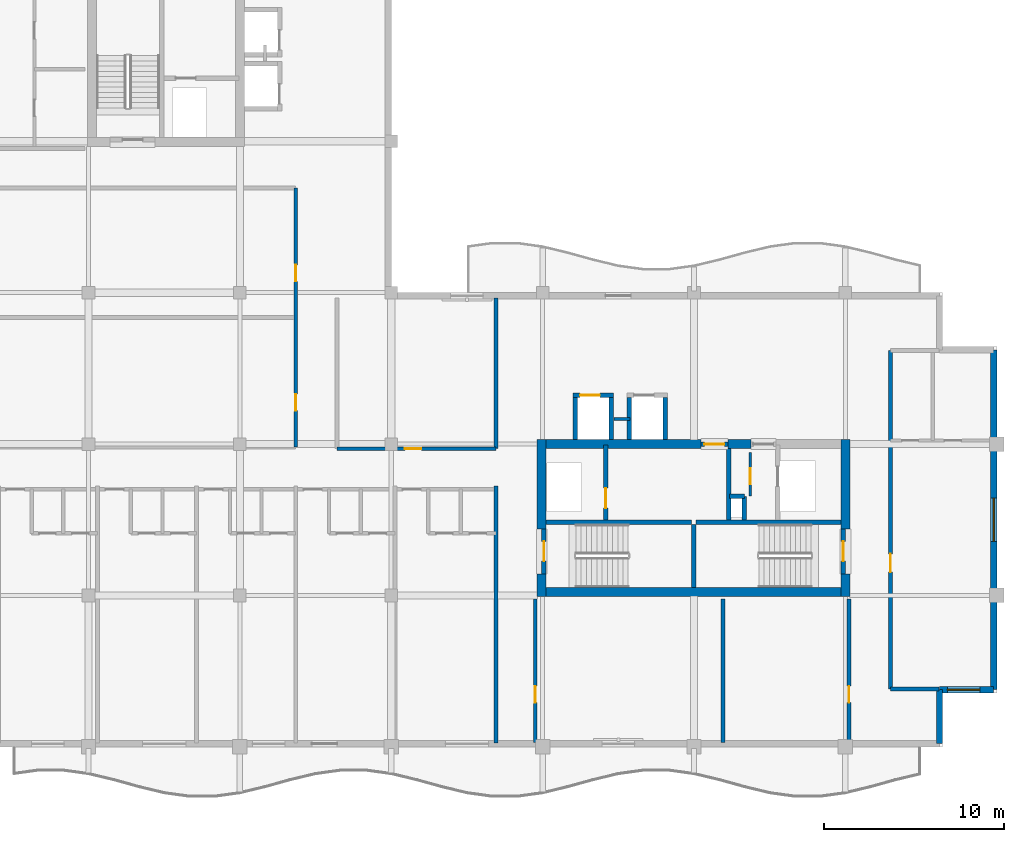
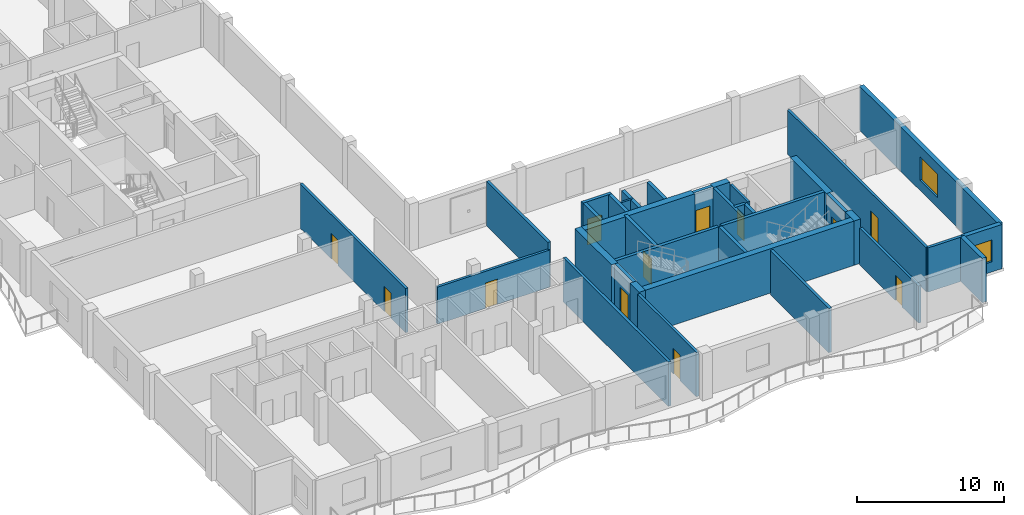
# One storey, part 4 of 12: 36 walls, 12 doors, 2 windows, 14 openings.
"""IFC4 building model written with IfcOpenShell, lengths in metres."""

import ifcopenshell
import ifcopenshell.guid

model = None  # the IFC model being written
_history = None  # IfcOwnerHistory: only IFC2X3 demands one
_inside = {}  # id of a spatial element -> (the spatial element, [elements in it])
_under = {}  # id of a project, library or spatial element -> (it, [spatial elements below it])
_declared = {}  # id of a project -> (the project, [libraries it declares])
_typed = {}  # id of a type object -> (the type object, [elements of that type])
_made_of = {}  # id of a material, layer set ... -> (it, [elements and type objects made of it])


def new_model(schema):
    """Start an empty IFC model of exactly this schema.

    Asked for "IFC4X3", IfcOpenShell would pick the latest addendum, in which some entities
    have other attributes; the version numbers below select the first issue.
    IFC2X3 requires an IfcOwnerHistory on every rooted entity: one is made here for all.
    """
    global model, _history
    if schema == "IFC4X3":
        model = ifcopenshell.file(schema_version=(4, 3, 0, 0))
    else:
        model = ifcopenshell.file(schema=schema)
    _inside.clear()
    _under.clear()
    _declared.clear()
    _typed.clear()
    _made_of.clear()
    _history = None
    if model.schema == "IFC2X3":
        org = make("IfcOrganization", Name="unknown")
        user = make(
            "IfcPersonAndOrganization",
            ThePerson=make("IfcPerson", FamilyName="unknown"),
            TheOrganization=org,
        )
        app = make(
            "IfcApplication",
            ApplicationDeveloper=org,
            Version="unknown",
            ApplicationFullName="unknown",
            ApplicationIdentifier="unknown",
        )
        _history = make(
            "IfcOwnerHistory",
            OwningUser=user,
            OwningApplication=app,
            ChangeAction="ADDED",
            CreationDate=0,
        )
    return model


def make(cls, **values):
    """One entity of the class cls with the attributes given. An attribute that is None is left unset."""
    return model.create_entity(
        cls, **{name: value for name, value in values.items() if value is not None}
    )


def rooted(cls, **values):
    """An entity with a GlobalId (a new one), such as an element, a storey or a relation."""
    return make(cls, GlobalId=ifcopenshell.guid.new(), OwnerHistory=_history, **values)


def si_unit(unit_type, name, prefix=None):
    """IfcSIUnit, for example si_unit("LENGTHUNIT", "METRE", prefix="MILLI")."""
    return make("IfcSIUnit", UnitType=unit_type, Prefix=prefix, Name=name)


def assignment(units):
    """IfcUnitAssignment: the units of a project."""
    return None if units is None else make("IfcUnitAssignment", Units=units)


def point(xyz):
    """IfcCartesianPoint."""
    return None if xyz is None else make("IfcCartesianPoint", Coordinates=xyz)


def direction(xyz):
    """IfcDirection."""
    return None if xyz is None else make("IfcDirection", DirectionRatios=xyz)


def frame(location, z_axis=None, x_axis=None):
    """IfcAxis2Placement3D, a coordinate frame: its origin and axes. An axis left out is left unset."""
    return make(
        "IfcAxis2Placement3D",
        Location=point(location),
        Axis=direction(z_axis),
        RefDirection=direction(x_axis),
    )


def frame_2d(location, x_axis=None):
    """IfcAxis2Placement2D, a coordinate frame in the plane: its origin and x axis."""
    return make(
        "IfcAxis2Placement2D", Location=point(location), RefDirection=direction(x_axis)
    )


def origin():
    """The frame at (0, 0, 0) with its axes left unset."""
    return frame((0.0, 0.0, 0.0))


def place(relative_to, where):
    """IfcLocalPlacement: puts the frame where relative to a parent placement (None: the world)."""
    return make(
        "IfcLocalPlacement", PlacementRelTo=relative_to, RelativePlacement=where
    )


def context(
    kind, dimensions, precision=None, world=None, true_north=None, identifier=None
):
    """IfcGeometricRepresentationContext, for example the 3D "Model" context."""
    return make(
        "IfcGeometricRepresentationContext",
        ContextIdentifier=identifier,
        ContextType=kind,
        CoordinateSpaceDimension=dimensions,
        Precision=precision,
        WorldCoordinateSystem=world,
        TrueNorth=true_north,
    )


def subcontext(parent, identifier, kind, view, scale=None):
    """IfcGeometricRepresentationSubContext, for example "Body" below "Model"."""
    return make(
        "IfcGeometricRepresentationSubContext",
        ContextIdentifier=identifier,
        ContextType=kind,
        ParentContext=parent,
        TargetScale=scale,
        TargetView=view,
    )


def project(units=None, contexts=None):
    """IfcProject with its units and contexts."""
    return rooted(
        "IfcProject",
        Name="project",
        RepresentationContexts=contexts,
        UnitsInContext=assignment(units),
    )


def spatial(cls, under=None, at=None, **own):
    """A site, building, storey or space (cls), placed at a placement, below another one or the project."""
    s = rooted(cls, ObjectPlacement=at, **own)
    if under is not None:
        _under.setdefault(under.id(), (under, []))[1].append(s)
    return s


def profile(cls, at=None, kind="AREA", **sizes):
    """A parametric profile (cls). Its sizes go by their IFC names, for example OverallWidth=200.0."""
    return make(cls, ProfileType=kind, Position=at, **sizes)


def rectangle(**sizes):
    """IfcRectangleProfileDef."""
    return profile("IfcRectangleProfileDef", **sizes)


def extrude(swept, where, along, depth):
    """IfcExtrudedAreaSolid: the profile swept, set in the frame where, extruded along a direction by depth."""
    return make(
        "IfcExtrudedAreaSolid",
        SweptArea=swept,
        Position=where,
        ExtrudedDirection=direction(along),
        Depth=depth,
    )


def shape(context_of_items, identifier, shape_type, items):
    """IfcShapeRepresentation: the items that make up one representation, for example the "Body"."""
    return make(
        "IfcShapeRepresentation",
        ContextOfItems=context_of_items,
        RepresentationIdentifier=identifier,
        RepresentationType=shape_type,
        Items=items,
    )


def material(Name=None, Category=None):
    """IfcMaterial."""
    return make("IfcMaterial", Name=Name, Category=Category)


def layer(
    of_material, thickness, ventilated=None, Name=None, Category=None, Priority=None
):
    """IfcMaterialLayer: one layer of a wall or slab, of a material (None: an air gap)."""
    return make(
        "IfcMaterialLayer",
        Material=of_material,
        LayerThickness=thickness,
        IsVentilated=ventilated,
        Name=Name,
        Category=Category,
        Priority=Priority,
    )


def layer_set(layers, Name=None):
    """IfcMaterialLayerSet."""
    return make("IfcMaterialLayerSet", MaterialLayers=layers, LayerSetName=Name)


def made_of(thing, what):
    """Note that an element or type object is made of a material, layer set ...; save() writes the relation."""
    if what is not None:
        _made_of.setdefault(what.id(), (what, []))[1].append(thing)
    return thing


def type_object(cls, material=None, **own):
    """A type object (cls), such as IfcWallType, which elements share."""
    return made_of(rooted(cls, **own), material)


def element(
    cls,
    number,
    at=None,
    inside=None,
    cuts=None,
    type_object=None,
    material=None,
    context=None,
    identifier="Body",
    shape_type=None,
    held_by="IfcProductDefinitionShape",
    body=None,
    shapes=None,
    **own,
):
    """One element of the class cls, such as IfcWall. Its Tag is "e" and its number.

    at: its placement. inside: the storey or other place that contains it. cuts: it is an
    opening in that element (IfcRelVoidsElement). A single representation is given by context,
    identifier, shape_type and body (its items); several are given by shapes. held_by: the class
    of the entity that holds the representations. save() writes the other relations.
    """
    e = rooted(cls, Tag="e%d" % number, ObjectPlacement=at, **own)
    if body is not None:
        shapes = [shape(context, identifier, shape_type, body)]
    if shapes is not None:
        e.Representation = make(held_by, Representations=shapes)
    if inside is not None:
        _inside.setdefault(inside.id(), (inside, []))[1].append(e)
    if cuts is not None:
        rooted(
            "IfcRelVoidsElement", RelatingBuildingElement=cuts, RelatedOpeningElement=e
        )
    if type_object is not None:
        _typed.setdefault(type_object.id(), (type_object, []))[1].append(e)
    return made_of(e, material)


def fill(opening, filler):
    """IfcRelFillsElement: the door or window that sits in an opening."""
    return rooted(
        "IfcRelFillsElement",
        RelatingOpeningElement=opening,
        RelatedBuildingElement=filler,
    )


def aggregate(whole, parts):
    """IfcRelAggregates: a whole, such as a stair, and the parts it consists of."""
    return rooted("IfcRelAggregates", RelatingObject=whole, RelatedObjects=parts)


def save(model, path):
    """Write the relations noted so far, then the file.

    IfcRelAggregates (storeys below a building ...), IfcRelContainedInSpatialStructure (elements
    in a storey), IfcRelDefinesByType, IfcRelAssociatesMaterial and IfcRelDeclares: one each for
    every whole, place, type object, material and project.
    """
    for whole, parts in _under.values():
        aggregate(whole, parts)
    for where, things in _inside.values():
        rooted(
            "IfcRelContainedInSpatialStructure",
            RelatedElements=things,
            RelatingStructure=where,
        )
    for kind, things in _typed.values():
        rooted("IfcRelDefinesByType", RelatedObjects=things, RelatingType=kind)
    for what, things in _made_of.values():
        rooted("IfcRelAssociatesMaterial", RelatedObjects=things, RelatingMaterial=what)
    for by, libraries in _declared.values():
        rooted("IfcRelDeclares", RelatingContext=by, RelatedDefinitions=libraries)
    model.write(path)


model = new_model("IFC4")

# Units and contexts
model_context = context("Model", 3, precision=1e-05, world=origin(), true_north=direction((0.0, 1.0)))
body_context = subcontext(model_context, "Body", "Model", "MODEL_VIEW")
ifc_project = project(units=[si_unit("LENGTHUNIT", "METRE"), si_unit("AREAUNIT", "SQUARE_METRE"), si_unit("VOLUMEUNIT", "CUBIC_METRE"), si_unit("PLANEANGLEUNIT", "RADIAN"), si_unit("MASSUNIT", "GRAM", prefix="KILO")], contexts=[model_context])

# Site, building, storey
site_placement = place(None, origin())
site = spatial("IfcSite", under=ifc_project, at=site_placement, CompositionType="ELEMENT")
building_placement = place(site_placement, origin())
building = spatial("IfcBuilding", under=site, at=building_placement, Name="Koriwani Terraces Tower", CompositionType="ELEMENT")
storey_placement = place(building_placement, frame((0.0, 0.0, 351.5)))
storey = spatial("IfcBuildingStorey", under=building, at=storey_placement, Name="L87", CompositionType="ELEMENT", Elevation=351.5)

# Walls
ifc_material_1 = material(Name="Concrete C50/60", Category="concrete")
ifc_layer_1 = layer(ifc_material_1, 0.5, Name="Concrete C50/60")
ifc_layer_set_1 = layer_set([ifc_layer_1], Name="Concrete C50/60")
wall_type_1 = type_object("IfcWallType", Name="WALL_CORE_RC_500", PredefinedType="SHEAR", material=ifc_layer_set_1)
wall_1_placement = place(storey_placement, frame((41.949951171875, 16.75, 0.0), z_axis=(0.0, 0.0, 1.0), x_axis=(0.0, 1.0, 0.0)))
element("IfcWall", 1, at=wall_1_placement, inside=storey, type_object=wall_type_1, Name="L87 East Split Core Shear Wall W1", PredefinedType="SHEAR", context=body_context, shape_type="SweptSolid", body=[
    extrude(rectangle(XDim=1.25, YDim=0.5, at=frame_2d((0.625, 0.0))), origin(), (0.0, 0.0, 1.0), 3.669921875),
])
wall_2_placement = place(storey_placement, frame((41.949951171875, 20.5, 0.0), z_axis=(0.0, 0.0, 1.0), x_axis=(0.0, 1.0, 0.0)))
element("IfcWall", 2, at=wall_2_placement, inside=storey, type_object=wall_type_1, Name="L87 East Split Core Shear Wall W2", PredefinedType="SHEAR", context=body_context, shape_type="SweptSolid", body=[
    extrude(rectangle(XDim=4.949951171875, YDim=0.5, at=frame_2d((2.47509765625, 0.0))), origin(), (0.0, 0.0, 1.0), 3.669921875),
])
wall_3_placement = place(storey_placement, frame((58.800048828125, 16.75, 0.0), z_axis=(0.0, 0.0, 1.0), x_axis=(0.0, 1.0, 0.0)))
element("IfcWall", 3, at=wall_3_placement, inside=storey, type_object=wall_type_1, Name="L87 East Split Core Shear Wall E1", PredefinedType="SHEAR", context=body_context, shape_type="SweptSolid", body=[
    extrude(rectangle(XDim=1.25, YDim=0.5, at=frame_2d((0.625, 0.0))), origin(), (0.0, 0.0, 1.0), 3.669921875),
])
wall_4_placement = place(storey_placement, frame((58.800048828125, 20.5, 0.0), z_axis=(0.0, 0.0, 1.0), x_axis=(0.0, 1.0, 0.0)))
element("IfcWall", 4, at=wall_4_placement, inside=storey, type_object=wall_type_1, Name="L87 East Split Core Shear Wall E2", PredefinedType="SHEAR", context=body_context, shape_type="SweptSolid", body=[
    extrude(rectangle(XDim=4.949951171875, YDim=0.5, at=frame_2d((2.47509765625, 0.0))), origin(), (0.0, 0.0, 1.0), 3.669921875),
])
wall_5_placement = place(storey_placement, frame((42.199951171875, 17.0, 0.0), z_axis=(0.0, 0.0, 1.0), x_axis=(1.0, 0.0, 0.0)))
element("IfcWall", 5, at=wall_5_placement, inside=storey, type_object=wall_type_1, Name="L87 East Split Core Shear Wall S1", PredefinedType="SHEAR", context=body_context, shape_type="SweptSolid", body=[
    extrude(rectangle(XDim=16.35009765625, YDim=0.5, at=frame_2d((8.175048828125, 0.0))), origin(), (0.0, 0.0, 1.0), 3.669921875),
])
wall_6_placement = place(storey_placement, frame((42.199951171875, 25.199951171875, 0.0), z_axis=(0.0, 0.0, 1.0), x_axis=(1.0, 0.0, 0.0)))
element("IfcWall", 6, at=wall_6_placement, inside=storey, type_object=wall_type_1, Name="L87 East Split Core Shear Wall N1", PredefinedType="SHEAR", context=body_context, shape_type="SweptSolid", body=[
    extrude(rectangle(XDim=8.60009765625, YDim=0.5, at=frame_2d((4.300048828125, 0.0))), origin(), (0.0, 0.0, 1.0), 3.669921875),
])
wall_7_placement = place(storey_placement, frame((52.280029296875, 25.199951171875, 0.0), z_axis=(0.0, 0.0, 1.0), x_axis=(1.0, 0.0, 0.0)))
element("IfcWall", 7, at=wall_7_placement, inside=storey, type_object=wall_type_1, Name="L87 East Split Core Shear Wall N2", PredefinedType="SHEAR", context=body_context, shape_type="SweptSolid", body=[
    extrude(rectangle(XDim=1.27001953125, YDim=0.5, at=frame_2d((0.635009765625, 0.0))), origin(), (0.0, 0.0, 1.0), 3.669921875),
])

# Wall, opening, door
ifc_material_2 = material(Name="Autoclaved Cellular Concrete Blockwork", Category="masonry")
ifc_layer_2 = layer(ifc_material_2, 0.199951171875, Name="Autoclaved Cellular Concrete Blockwork")
ifc_layer_set_2 = layer_set([ifc_layer_2], Name="Autoclaved Cellular Concrete Blockwork")
wall_type_2 = type_object("IfcWallType", Name="WALL_CORRIDOR_200", PredefinedType="PARTITIONING", material=ifc_layer_set_2)
wall_8_placement = place(storey_placement, frame((30.60009765625, 24.949951171875, 0.0), z_axis=(0.0, 0.0, 1.0), x_axis=(1.0, 0.0, 0.0)))
wall_8 = element("IfcWall", 8, at=wall_8_placement, inside=storey, type_object=wall_type_2, Name="L87 Interior Wall WIC4S-L87", PredefinedType="PARTITIONING", context=body_context, shape_type="SweptSolid", body=[
    extrude(rectangle(XDim=8.7998046875, YDim=0.199951171875, at=frame_2d((4.39990234375, 0.0))), origin(), (0.0, 0.0, 1.0), 3.070068359375),
])
opening_1_placement = place(wall_8_placement, frame((3.75, 0.0, 0.0)))
opening_1 = element("IfcOpeningElement", 9, at=opening_1_placement, cuts=wall_8, Name="Opening D-06", PredefinedType="OPENING", context=body_context, shape_type="SweptSolid", body=[
    extrude(rectangle(XDim=0.919921875, YDim=2.10009765625, at=frame_2d((0.4599609375, 1.050048828125))), frame((0.0, 0.10986328125, 0.0), z_axis=(0.0, -1.0, 0.0), x_axis=(1.0, 0.0, 0.0)), (0.0, 0.0, 1.0), 0.219970703125),
])
ifc_material_3 = material(Name="Architectural Oak Fire Door", Category="wood")
door_type_1 = type_object("IfcDoorType", Name="DOOR_ROOM_INT_920X2100", OperationType="NOTDEFINED", PredefinedType="DOOR", material=ifc_material_3)
door_1_placement = place(opening_1_placement, origin())
door_1 = element("IfcDoor", 10, at=door_1_placement, inside=storey, type_object=door_type_1, Name="L87 High-Rise Court Lounge Door", OperationType="SINGLE_SWING_LEFT", OverallHeight=2.10009765625, OverallWidth=0.919921875, PredefinedType="DOOR", context=body_context, shape_type="SweptSolid", body=[
    extrude(rectangle(XDim=0.919921875, YDim=2.10009765625, at=frame_2d((0.4599609375, 1.050048828125))), frame((0.0, 0.02490234375, 0.0), z_axis=(0.0, -1.0, 0.0), x_axis=(1.0, 0.0, 0.0)), (0.0, 0.0, 1.0), 0.050048828125),
])
fill(opening_1, door_1)

wall_9_placement = place(storey_placement, frame((41.60009765625, 8.64990234375, 0.0), z_axis=(0.0, 0.0, 1.0), x_axis=(0.0, 1.0, 0.0)))
wall_9 = element("IfcWall", 11, at=wall_9_placement, inside=storey, type_object=wall_type_2, Name="L87 Interior Wall WRZ4-EW-L87", PredefinedType="PARTITIONING", context=body_context, shape_type="SweptSolid", body=[
    extrude(rectangle(XDim=7.9501953125, YDim=0.199951171875, at=frame_2d((3.97509765625, 0.0))), origin(), (0.0, 0.0, 1.0), 3.669921875),
])
opening_2_placement = place(wall_9_placement, frame((2.199951171875, 0.0, 0.0)))
opening_2 = element("IfcOpeningElement", 12, at=opening_2_placement, cuts=wall_9, Name="Opening D-06", PredefinedType="OPENING", context=body_context, shape_type="SweptSolid", body=[
    extrude(rectangle(XDim=0.919921875, YDim=2.10009765625, at=frame_2d((0.4599609375, 1.050048828125))), frame((0.0, 0.10986328125, 0.0), z_axis=(0.0, -1.0, 0.0), x_axis=(1.0, 0.0, 0.0)), (0.0, 0.0, 1.0), 0.219970703125),
])
door_2_placement = place(opening_2_placement, origin())
door_2 = element("IfcDoor", 13, at=door_2_placement, inside=storey, type_object=door_type_1, Name="L87 Resident Library Study Door", OperationType="SINGLE_SWING_RIGHT", OverallHeight=2.10009765625, OverallWidth=0.919921875, PredefinedType="DOOR", context=body_context, shape_type="SweptSolid", body=[
    extrude(rectangle(XDim=0.919921875, YDim=2.10009765625, at=frame_2d((0.4599609375, 1.050048828125))), frame((0.0, 0.02490234375, 0.0), z_axis=(0.0, -1.0, 0.0), x_axis=(1.0, 0.0, 0.0)), (0.0, 0.0, 1.0), 0.050048828125),
])
fill(opening_2, door_2)

wall_10_placement = place(storey_placement, frame((59.0, 8.64990234375, 0.0), z_axis=(0.0, 0.0, 1.0), x_axis=(0.0, 1.0, 0.0)))
wall_10 = element("IfcWall", 14, at=wall_10_placement, inside=storey, type_object=wall_type_2, Name="L87 Interior Wall WRZ4-EE-L87", PredefinedType="PARTITIONING", context=body_context, shape_type="SweptSolid", body=[
    extrude(rectangle(XDim=7.9501953125, YDim=0.199951171875, at=frame_2d((3.97509765625, 0.0))), origin(), (0.0, 0.0, 1.0), 3.070068359375),
])
opening_3_placement = place(wall_10_placement, frame((2.199951171875, 0.0, 0.0)))
opening_3 = element("IfcOpeningElement", 15, at=opening_3_placement, cuts=wall_10, Name="Opening D-06", PredefinedType="OPENING", context=body_context, shape_type="SweptSolid", body=[
    extrude(rectangle(XDim=0.919921875, YDim=2.10009765625, at=frame_2d((0.4599609375, 1.050048828125))), frame((0.0, 0.10986328125, 0.0), z_axis=(0.0, -1.0, 0.0), x_axis=(1.0, 0.0, 0.0)), (0.0, 0.0, 1.0), 0.219970703125),
])
door_3_placement = place(opening_3_placement, origin())
door_3 = element("IfcDoor", 16, at=door_3_placement, inside=storey, type_object=door_type_1, Name="L87 Resident Laundry Room Door", OperationType="SINGLE_SWING_LEFT", OverallHeight=2.10009765625, OverallWidth=0.919921875, PredefinedType="DOOR", context=body_context, shape_type="SweptSolid", body=[
    extrude(rectangle(XDim=0.919921875, YDim=2.10009765625, at=frame_2d((0.4599609375, 1.050048828125))), frame((0.0, 0.02490234375, 0.0), z_axis=(0.0, -1.0, 0.0), x_axis=(1.0, 0.0, 0.0)), (0.0, 0.0, 1.0), 0.050048828125),
])
fill(opening_3, door_3)

# Wall, openings, doors
wall_11_placement = place(storey_placement, frame((28.300048828125, 25.050048828125, 0.0), z_axis=(0.0, 0.0, 1.0), x_axis=(0.0, 1.0, 0.0)))
wall_11 = element("IfcWall", 17, at=wall_11_placement, inside=storey, type_object=wall_type_2, Name="L87 Interior Wall WZ4NECL-L87", PredefinedType="PARTITIONING", context=body_context, shape_type="SweptSolid", body=[
    extrude(rectangle(XDim=14.349853515625, YDim=0.199951171875, at=frame_2d((7.1748046875, 0.0))), origin(), (0.0, 0.0, 1.0), 3.669921875),
])
opening_4_placement = place(wall_11_placement, frame((2.0, 0.0, 0.0)))
opening_4 = element("IfcOpeningElement", 18, at=opening_4_placement, cuts=wall_11, Name="Opening D-06", PredefinedType="OPENING", context=body_context, shape_type="SweptSolid", body=[
    extrude(rectangle(XDim=0.919921875, YDim=2.10009765625, at=frame_2d((0.4599609375, 1.050048828125))), frame((0.0, 0.10986328125, 0.0), z_axis=(0.0, -1.0, 0.0), x_axis=(1.0, 0.0, 0.0)), (0.0, 0.0, 1.0), 0.219970703125),
])
opening_5_placement = place(wall_11_placement, frame((9.175048828125, 0.0, 0.0)))
opening_5 = element("IfcOpeningElement", 19, at=opening_5_placement, cuts=wall_11, Name="Opening D-06", PredefinedType="OPENING", context=body_context, shape_type="SweptSolid", body=[
    extrude(rectangle(XDim=0.919921875, YDim=2.10009765625, at=frame_2d((0.4599609375, 1.050048828125))), frame((0.0, 0.10986328125, 0.0), z_axis=(0.0, -1.0, 0.0), x_axis=(1.0, 0.0, 0.0)), (0.0, 0.0, 1.0), 0.219970703125),
])
door_4_placement = place(opening_4_placement, origin())
door_4 = element("IfcDoor", 20, at=door_4_placement, inside=storey, type_object=door_type_1, Name="L87 Observatory Library Door", OperationType="SINGLE_SWING_LEFT", OverallHeight=2.10009765625, OverallWidth=0.919921875, PredefinedType="DOOR", context=body_context, shape_type="SweptSolid", body=[
    extrude(rectangle(XDim=0.919921875, YDim=2.10009765625, at=frame_2d((0.4599609375, 1.050048828125))), frame((0.0, 0.02490234375, 0.0), z_axis=(0.0, -1.0, 0.0), x_axis=(1.0, 0.0, 0.0)), (0.0, 0.0, 1.0), 0.050048828125),
])
fill(opening_4, door_4)
door_5_placement = place(opening_5_placement, origin())
door_5 = element("IfcDoor", 21, at=door_5_placement, inside=storey, type_object=door_type_1, Name="L87 Altitude Tea Salon Door", OperationType="SINGLE_SWING_RIGHT", OverallHeight=2.10009765625, OverallWidth=0.919921875, PredefinedType="DOOR", context=body_context, shape_type="SweptSolid", body=[
    extrude(rectangle(XDim=0.919921875, YDim=2.10009765625, at=frame_2d((0.4599609375, 1.050048828125))), frame((0.0, 0.02490234375, 0.0), z_axis=(0.0, -1.0, 0.0), x_axis=(1.0, 0.0, 0.0)), (0.0, 0.0, 1.0), 0.050048828125),
])
fill(opening_5, door_5)

# Wall, opening, door
wall_12_placement = place(storey_placement, frame((61.300048828125, 11.60009765625, 0.0), z_axis=(0.0, 0.0, 1.0), x_axis=(0.0, 1.0, 0.0)))
wall_12 = element("IfcWall", 22, at=wall_12_placement, inside=storey, type_object=wall_type_2, Name="L87 Interior Wall WET-W-L87", PredefinedType="PARTITIONING", context=body_context, shape_type="SweptSolid", body=[
    extrude(rectangle(XDim=18.7998046875, YDim=0.199951171875, at=frame_2d((9.39990234375, 0.0))), origin(), (0.0, 0.0, 1.0), 3.669921875),
])
opening_6_placement = place(wall_12_placement, frame((6.5, 0.0, 0.0)))
opening_6 = element("IfcOpeningElement", 23, at=opening_6_placement, cuts=wall_12, Name="Opening D-05", PredefinedType="OPENING", context=body_context, shape_type="SweptSolid", body=[
    extrude(rectangle(XDim=1.0, YDim=2.14990234375, at=frame_2d((0.5, 1.074951171875))), frame((0.0, 0.10986328125, 0.0), z_axis=(0.0, -1.0, 0.0), x_axis=(1.0, 0.0, 0.0)), (0.0, 0.0, 1.0), 0.219970703125),
])
door_type_2 = type_object("IfcDoorType", Name="DOOR_SUITE_ENTRY_1000X2150", OperationType="NOTDEFINED", PredefinedType="DOOR", material=ifc_material_3)
door_6_placement = place(opening_6_placement, origin())
door_6 = element("IfcDoor", 24, at=door_6_placement, inside=storey, type_object=door_type_2, Name="Apartment 87ET Entrance Door", OperationType="SINGLE_SWING_RIGHT", OverallHeight=2.14990234375, OverallWidth=1.0, PredefinedType="DOOR", context=body_context, shape_type="SweptSolid", body=[
    extrude(rectangle(XDim=1.0, YDim=2.14990234375, at=frame_2d((0.5, 1.074951171875))), frame((0.0, 0.02490234375, 0.0), z_axis=(0.0, -1.0, 0.0), x_axis=(1.0, 0.0, 0.0)), (0.0, 0.0, 1.0), 0.050048828125),
])
fill(opening_6, door_6)

# Walls
ifc_layer_3 = layer(ifc_material_2, 0.219970703125, Name="Autoclaved Cellular Concrete Blockwork")
ifc_layer_set_3 = layer_set([ifc_layer_3], Name="Autoclaved Cellular Concrete Blockwork")
wall_type_3 = type_object("IfcWallType", Name="WALL_DEMISING_220", PredefinedType="PARTITIONING", material=ifc_layer_set_3)
wall_13_placement = place(storey_placement, frame((39.39990234375, 24.949951171875, 0.0), z_axis=(0.0, 0.0, 1.0), x_axis=(0.0, 1.0, 0.0)))
element("IfcWall", 25, at=wall_13_placement, inside=storey, type_object=wall_type_3, Name="L87 Interior Wall WIC4SE-L87", PredefinedType="PARTITIONING", context=body_context, shape_type="SweptSolid", body=[
    extrude(rectangle(XDim=8.35009765625, YDim=0.219970703125, at=frame_2d((4.175048828125, 0.0))), origin(), (0.0, 0.0, 1.0), 3.669921875),
])
wall_14_placement = place(storey_placement, frame((52.0, 8.64990234375, 0.0), z_axis=(0.0, 0.0, 1.0), x_axis=(0.0, 1.0, 0.0)))
element("IfcWall", 26, at=wall_14_placement, inside=storey, type_object=wall_type_3, Name="L87 Interior Wall WRZ4-EM-L87", PredefinedType="PARTITIONING", context=body_context, shape_type="SweptSolid", body=[
    extrude(rectangle(XDim=7.9501953125, YDim=0.219970703125, at=frame_2d((3.97509765625, 0.0))), origin(), (0.0, 0.0, 1.0), 3.669921875),
])
wall_15_placement = place(storey_placement, frame((39.39990234375, 8.60009765625, 0.0), z_axis=(0.0, 0.0, 1.0), x_axis=(0.0, 1.0, 0.0)))
element("IfcWall", 27, at=wall_15_placement, inside=storey, type_object=wall_type_3, Name="L87 Interior Wall WRDEME-L87-SW", PredefinedType="PARTITIONING", context=body_context, shape_type="SweptSolid", body=[
    extrude(rectangle(XDim=14.27978515625, YDim=0.219970703125, at=frame_2d((7.139892578125, 0.0))), origin(), (0.0, 0.0, 1.0), 3.669921875),
])
wall_16_placement = place(storey_placement, frame((61.300048828125, 11.60009765625, 0.0), z_axis=(0.0, 0.0, 1.0), x_axis=(1.0, 0.0, 0.0)))
element("IfcWall", 28, at=wall_16_placement, inside=storey, type_object=wall_type_3, Name="L87 Interior Wall WET-S-L87", PredefinedType="PARTITIONING", context=body_context, shape_type="SweptSolid", body=[
    extrude(rectangle(XDim=2.699951171875, YDim=0.219970703125, at=frame_2d((1.35009765625, 0.0))), origin(), (0.0, 0.0, 1.0), 3.669921875),
])

# Wall, opening, window
ifc_layer_4 = layer(ifc_material_1, 0.35009765625, Name="Concrete C50/60")
ifc_layer_set_4 = layer_set([ifc_layer_4], Name="Concrete C50/60")
wall_type_4 = type_object("IfcWallType", Name="WALL_EXT_BRUTALIST_350", PredefinedType="STANDARD", material=ifc_layer_set_4)
wall_17_placement = place(storey_placement, frame((67.02490234375, 30.425048828125, 0.0), z_axis=(0.0, 0.0, 1.0), x_axis=(0.0, -1.0, 0.0)))
wall_17 = element("IfcWall", 29, at=wall_17_placement, inside=storey, type_object=wall_type_4, Name="L87 Fair-Faced Brutalist Exterior Wall (E_TIP)", PredefinedType="STANDARD", context=body_context, shape_type="SweptSolid", body=[
    extrude(rectangle(XDim=18.85009765625, YDim=0.35009765625, at=frame_2d((9.425048828125, 0.0))), origin(), (0.0, 0.0, 1.0), 3.669921875),
])
opening_7_placement = place(wall_17_placement, frame((8.22509765625, 0.0, 0.85009765625)))
opening_7 = element("IfcOpeningElement", 30, at=opening_7_placement, cuts=wall_17, Name="Opening W-03", PredefinedType="OPENING", context=body_context, shape_type="SweptSolid", body=[
    extrude(rectangle(XDim=2.39990234375, YDim=1.949951171875, at=frame_2d((1.199951171875, 0.97509765625))), frame((0.0, 0.18505859375, 0.0), z_axis=(0.0, -1.0, 0.0), x_axis=(1.0, 0.0, 0.0)), (0.0, 0.0, 1.0), 0.3701171875),
])
ifc_material_4 = material(Name="Tempered Laminated Low-E Glass", Category="glass")
window_type_1 = type_object("IfcWindowType", Name="WIN_RES_LIVING_2400X1950", PartitioningType="DOUBLE_PANEL_VERTICAL", PredefinedType="WINDOW", material=ifc_material_4)
window_1_placement = place(opening_7_placement, origin())
window_1 = element("IfcWindow", 31, at=window_1_placement, inside=storey, type_object=window_type_1, Name="L87 Exterior Window (E_TIP-3)", OverallHeight=1.949951171875, OverallWidth=2.39990234375, PartitioningType="SINGLE_PANEL", PredefinedType="WINDOW", context=body_context, shape_type="SweptSolid", body=[
    extrude(rectangle(XDim=2.39990234375, YDim=1.949951171875, at=frame_2d((1.199951171875, 0.97509765625))), frame((0.0, 0.030029296875, 0.0), z_axis=(0.0, -1.0, 0.0), x_axis=(1.0, 0.0, 0.0)), (0.0, 0.0, 1.0), 0.06005859375),
])
fill(opening_7, window_1)

wall_18_placement = place(storey_placement, frame((67.02490234375, 11.574951171875, 0.0), z_axis=(0.0, 0.0, 1.0), x_axis=(-1.0, 0.0, 0.0)))
wall_18 = element("IfcWall", 32, at=wall_18_placement, inside=storey, type_object=wall_type_4, Name="L87 Fair-Faced Brutalist Exterior Wall (N13)", PredefinedType="STANDARD", context=body_context, shape_type="SweptSolid", body=[
    extrude(rectangle(XDim=3.0, YDim=0.35009765625, at=frame_2d((1.5, 0.0))), origin(), (0.0, 0.0, 1.0), 3.669921875),
])
opening_8_placement = place(wall_18_placement, frame((0.762451171875, 0.0, 0.85009765625)))
opening_8 = element("IfcOpeningElement", 33, at=opening_8_placement, cuts=wall_18, Name="Opening W-04", PredefinedType="OPENING", context=body_context, shape_type="SweptSolid", body=[
    extrude(rectangle(XDim=1.800048828125, YDim=1.800048828125, at=frame_2d((0.89990234375, 0.89990234375))), frame((0.0, 0.18505859375, 0.0), z_axis=(0.0, -1.0, 0.0), x_axis=(1.0, 0.0, 0.0)), (0.0, 0.0, 1.0), 0.3701171875),
])
window_type_2 = type_object("IfcWindowType", Name="WIN_RES_BED_1800X1800", PartitioningType="DOUBLE_PANEL_VERTICAL", PredefinedType="WINDOW", material=ifc_material_4)
window_2_placement = place(opening_8_placement, origin())
window_2 = element("IfcWindow", 34, at=window_2_placement, inside=storey, type_object=window_type_2, Name="L87 Exterior Window (N13-R58)", OverallHeight=1.800048828125, OverallWidth=1.800048828125, PartitioningType="SINGLE_PANEL", PredefinedType="WINDOW", context=body_context, shape_type="SweptSolid", body=[
    extrude(rectangle(XDim=1.800048828125, YDim=1.800048828125, at=frame_2d((0.89990234375, 0.89990234375))), frame((0.0, 0.030029296875, 0.0), z_axis=(0.0, -1.0, 0.0), x_axis=(1.0, 0.0, 0.0)), (0.0, 0.0, 1.0), 0.06005859375),
])
fill(opening_8, window_2)

# Walls
wall_19_placement = place(storey_placement, frame((64.02490234375, 11.574951171875, 0.0), z_axis=(0.0, 0.0, 1.0), x_axis=(0.0, -1.0, 0.0)))
element("IfcWall", 35, at=wall_19_placement, inside=storey, type_object=wall_type_4, Name="L87 Fair-Faced Brutalist Exterior Wall (N14)", PredefinedType="STANDARD", context=body_context, shape_type="SweptSolid", body=[
    extrude(rectangle(XDim=3.0, YDim=0.35009765625, at=frame_2d((1.5, 0.0))), origin(), (0.0, 0.0, 1.0), 3.669921875),
])
ifc_material_5 = material(Name="Concrete C40/50", Category="concrete")
ifc_layer_5 = layer(ifc_material_5, 0.25, Name="Concrete C40/50")
ifc_layer_set_5 = layer_set([ifc_layer_5], Name="Concrete C40/50")
wall_type_5 = type_object("IfcWallType", Name="WALL_SHAFT_RATED_250", PredefinedType="SOLIDWALL", material=ifc_layer_set_5)
for number, where, z_axis, x_axis, name in (
    (36, (42.199951171875, 20.875, 0.0), (0.0, 0.0, 1.0), (1.0, 0.0, 0.0), "L87 East Split Core Web Wall MID1"),
    (37, (50.5, 20.875, 0.0), (0.0, 0.0, 1.0), (1.0, 0.0, 0.0), "L87 East Split Core Web Wall MID2"),
):
    element("IfcWall", number, at=place(storey_placement, frame(where, z_axis=z_axis, x_axis=x_axis)), inside=storey, type_object=wall_type_5, Name=name, PredefinedType="SOLIDWALL", context=body_context, shape_type="SweptSolid", body=[
        extrude(rectangle(XDim=8.050048828125, YDim=0.25, at=frame_2d((4.02490234375, 0.0))), origin(), (0.0, 0.0, 1.0), 3.669921875),
    ])
wall_20_placement = place(storey_placement, frame((50.375, 17.25, 0.0), z_axis=(0.0, 0.0, 1.0), x_axis=(0.0, 1.0, 0.0)))
element("IfcWall", 38, at=wall_20_placement, inside=storey, type_object=wall_type_5, Name="L87 East Split Core Stair Dividing Wall", PredefinedType="SOLIDWALL", context=body_context, shape_type="SweptSolid", body=[
    extrude(rectangle(XDim=3.5, YDim=0.25, at=frame_2d((1.75, 0.0))), origin(), (0.0, 0.0, 1.0), 3.669921875),
])

# Wall, opening, door
wall_21_placement = place(storey_placement, frame((42.074951171875, 18.0, 0.0), z_axis=(0.0, 0.0, 1.0), x_axis=(0.0, 1.0, 0.0)))
wall_21 = element("IfcWall", 39, at=wall_21_placement, inside=storey, type_object=wall_type_5, Name="L87 Interior Wall WIN-CE-L87-STW", PredefinedType="SOLIDWALL", context=body_context, shape_type="SweptSolid", body=[
    extrude(rectangle(XDim=2.5, YDim=0.25, at=frame_2d((1.25, 0.0))), origin(), (0.0, 0.0, 1.0), 3.669921875),
])
opening_9_placement = place(wall_21_placement, frame((0.699951171875, 0.0, 0.0)))
opening_9 = element("IfcOpeningElement", 40, at=opening_9_placement, cuts=wall_21, Name="Opening D-03", PredefinedType="OPENING", context=body_context, shape_type="SweptSolid", body=[
    extrude(rectangle(XDim=1.10009765625, YDim=2.14990234375, at=frame_2d((0.550048828125, 1.074951171875))), frame((0.0, 0.135009765625, 0.0), z_axis=(0.0, -1.0, 0.0), x_axis=(1.0, 0.0, 0.0)), (0.0, 0.0, 1.0), 0.27001953125),
])
ifc_material_6 = material(Name="Steel ASTM A572 Grade 50", Category="steel")
door_type_3 = type_object("IfcDoorType", Name="DOOR_STAIR_FIRE_1100X2150", OperationType="NOTDEFINED", PredefinedType="DOOR", material=ifc_material_6)
door_7_placement = place(opening_9_placement, origin())
door_7 = element("IfcDoor", 41, at=door_7_placement, inside=storey, type_object=door_type_3, Name="L87 Exit Stair ST-E1 Door", OperationType="SINGLE_SWING_RIGHT", OverallHeight=2.14990234375, OverallWidth=1.10009765625, PredefinedType="DOOR", context=body_context, shape_type="SweptSolid", body=[
    extrude(rectangle(XDim=1.10009765625, YDim=2.14990234375, at=frame_2d((0.550048828125, 1.074951171875))), frame((0.0, 0.02490234375, 0.0), z_axis=(0.0, -1.0, 0.0), x_axis=(1.0, 0.0, 0.0)), (0.0, 0.0, 1.0), 0.050048828125),
])
fill(opening_9, door_7)

wall_22_placement = place(storey_placement, frame((58.675048828125, 18.0, 0.0), z_axis=(0.0, 0.0, 1.0), x_axis=(0.0, 1.0, 0.0)))
wall_22 = element("IfcWall", 42, at=wall_22_placement, inside=storey, type_object=wall_type_5, Name="L87 Interior Wall WIN-CE-L87-STE", PredefinedType="SOLIDWALL", context=body_context, shape_type="SweptSolid", body=[
    extrude(rectangle(XDim=2.5, YDim=0.25, at=frame_2d((1.25, 0.0))), origin(), (0.0, 0.0, 1.0), 3.669921875),
])
opening_10_placement = place(wall_22_placement, frame((0.699951171875, 0.0, 0.0)))
opening_10 = element("IfcOpeningElement", 43, at=opening_10_placement, cuts=wall_22, Name="Opening D-03", PredefinedType="OPENING", context=body_context, shape_type="SweptSolid", body=[
    extrude(rectangle(XDim=1.10009765625, YDim=2.14990234375, at=frame_2d((0.550048828125, 1.074951171875))), frame((0.0, 0.135009765625, 0.0), z_axis=(0.0, -1.0, 0.0), x_axis=(1.0, 0.0, 0.0)), (0.0, 0.0, 1.0), 0.27001953125),
])
door_8_placement = place(opening_10_placement, origin())
door_8 = element("IfcDoor", 44, at=door_8_placement, inside=storey, type_object=door_type_3, Name="L87 Exit Stair ST-E2 Door", OperationType="SINGLE_SWING_LEFT", OverallHeight=2.14990234375, OverallWidth=1.10009765625, PredefinedType="DOOR", context=body_context, shape_type="SweptSolid", body=[
    extrude(rectangle(XDim=1.10009765625, YDim=2.14990234375, at=frame_2d((0.550048828125, 1.074951171875))), frame((0.0, 0.02490234375, 0.0), z_axis=(0.0, -1.0, 0.0), x_axis=(1.0, 0.0, 0.0)), (0.0, 0.0, 1.0), 0.050048828125),
])
fill(opening_10, door_8)

wall_23_placement = place(storey_placement, frame((45.5, 21.0, 0.0), z_axis=(0.0, 0.0, 1.0), x_axis=(0.0, 1.0, 0.0)))
wall_23 = element("IfcWall", 45, at=wall_23_placement, inside=storey, type_object=wall_type_5, Name="L87 Interior Wall WIN-CE-L87-FE", PredefinedType="SOLIDWALL", context=body_context, shape_type="SweptSolid", body=[
    extrude(rectangle(XDim=4.14990234375, YDim=0.25, at=frame_2d((2.074951171875, 0.0))), origin(), (0.0, 0.0, 1.0), 3.669921875),
])
opening_11_placement = place(wall_23_placement, frame((0.64990234375, 0.0, 0.0)))
opening_11 = element("IfcOpeningElement", 46, at=opening_11_placement, cuts=wall_23, Name="Opening LD-01", PredefinedType="OPENING", context=body_context, shape_type="SweptSolid", body=[
    extrude(rectangle(XDim=1.10009765625, YDim=2.14990234375, at=frame_2d((0.550048828125, 1.074951171875))), frame((0.0, 0.135009765625, 0.0), z_axis=(0.0, -1.0, 0.0), x_axis=(1.0, 0.0, 0.0)), (0.0, 0.0, 1.0), 0.27001953125),
])
door_type_4 = type_object("IfcDoorType", Name="DOOR_LIFT_LANDING_1100X2200", OperationType="NOTDEFINED", PredefinedType="DOOR", material=ifc_material_6)
door_9_placement = place(opening_11_placement, origin())
door_9 = element("IfcDoor", 47, at=door_9_placement, inside=storey, type_object=door_type_4, Name="L87 Firefighting Lift FE-02 Landing Door", OperationType="SLIDING_TO_LEFT", OverallHeight=2.14990234375, OverallWidth=1.10009765625, PredefinedType="DOOR", context=body_context, shape_type="SweptSolid", body=[
    extrude(rectangle(XDim=1.10009765625, YDim=2.14990234375, at=frame_2d((0.550048828125, 1.074951171875))), frame((0.0, 0.02490234375, 0.0), z_axis=(0.0, -1.0, 0.0), x_axis=(1.0, 0.0, 0.0)), (0.0, 0.0, 1.0), 0.050048828125),
])
fill(opening_11, door_9)

wall_24_placement = place(storey_placement, frame((50.800048828125, 25.199951171875, 0.0), z_axis=(0.0, 0.0, 1.0), x_axis=(1.0, 0.0, 0.0)))
wall_24 = element("IfcWall", 48, at=wall_24_placement, inside=storey, type_object=wall_type_5, Name="L87 Interior Wall WIN-CE-L87-NP", PredefinedType="SOLIDWALL", context=body_context, shape_type="SweptSolid", body=[
    extrude(rectangle(XDim=1.47998046875, YDim=0.25, at=frame_2d((0.739990234375, 0.0))), origin(), (0.0, 0.0, 1.0), 3.669921875),
])
opening_12_placement = place(wall_24_placement, frame((0.179931640625, 0.0, 0.0)))
opening_12 = element("IfcOpeningElement", 49, at=opening_12_placement, cuts=wall_24, Name="Opening D-03", PredefinedType="OPENING", context=body_context, shape_type="SweptSolid", body=[
    extrude(rectangle(XDim=1.10009765625, YDim=2.14990234375, at=frame_2d((0.550048828125, 1.074951171875))), frame((0.0, 0.135009765625, 0.0), z_axis=(0.0, -1.0, 0.0), x_axis=(1.0, 0.0, 0.0)), (0.0, 0.0, 1.0), 0.27001953125),
])
door_10_placement = place(opening_12_placement, origin())
door_10 = element("IfcDoor", 50, at=door_10_placement, inside=storey, type_object=door_type_3, Name="L87 East Firefighting Lobby Door", OperationType="SINGLE_SWING_RIGHT", OverallHeight=2.14990234375, OverallWidth=1.10009765625, PredefinedType="DOOR", context=body_context, shape_type="SweptSolid", body=[
    extrude(rectangle(XDim=1.10009765625, YDim=2.14990234375, at=frame_2d((0.550048828125, 1.074951171875))), frame((0.0, 0.02490234375, 0.0), z_axis=(0.0, -1.0, 0.0), x_axis=(1.0, 0.0, 0.0)), (0.0, 0.0, 1.0), 0.050048828125),
])
fill(opening_12, door_10)

# Walls
wall_25_placement = place(storey_placement, frame((52.340087890625, 21.0, 0.0), z_axis=(0.0, 0.0, 1.0), x_axis=(0.0, 1.0, 0.0)))
element("IfcWall", 51, at=wall_25_placement, inside=storey, type_object=wall_type_5, Name="L87 Interior Wall WIN-CE-L87-FFE", PredefinedType="SOLIDWALL", context=body_context, shape_type="SweptSolid", body=[
    extrude(rectangle(XDim=3.949951171875, YDim=0.25, at=frame_2d((1.97509765625, 0.0))), origin(), (0.0, 0.0, 1.0), 3.669921875),
])
wall_26_placement = place(storey_placement, frame((53.199951171875, 21.0, 0.0), z_axis=(0.0, 0.0, 1.0), x_axis=(0.0, 1.0, 0.0)))
element("IfcWall", 52, at=wall_26_placement, inside=storey, type_object=wall_type_5, Name="L87 Interior Wall WIN-CE-L87-RS1", PredefinedType="SOLIDWALL", context=body_context, shape_type="SweptSolid", body=[
    extrude(rectangle(XDim=1.300048828125, YDim=0.25, at=frame_2d((0.64990234375, 0.0))), origin(), (0.0, 0.0, 1.0), 3.669921875),
])
wall_27_placement = place(storey_placement, frame((52.360107421875, 22.300048828125, 0.0), z_axis=(0.0, 0.0, 1.0), x_axis=(1.0, 0.0, 0.0)))
element("IfcWall", 53, at=wall_27_placement, inside=storey, type_object=wall_type_5, Name="L87 Interior Wall WIN-CE-L87-RS2", PredefinedType="SOLIDWALL", context=body_context, shape_type="SweptSolid", body=[
    extrude(rectangle(XDim=0.83984375, YDim=0.25, at=frame_2d((0.419921875, 0.0))), origin(), (0.0, 0.0, 1.0), 3.669921875),
])

# Wall, opening, door
wall_28_placement = place(storey_placement, frame((43.675048828125, 27.89990234375, 0.0), z_axis=(0.0, 0.0, 1.0), x_axis=(1.0, 0.0, 0.0)))
wall_28 = element("IfcWall", 54, at=wall_28_placement, inside=storey, type_object=wall_type_5, Name="L87 Interior Wall WIN-LF-PE-H3-L87-F", PredefinedType="SOLIDWALL", context=body_context, shape_type="SweptSolid", body=[
    extrude(rectangle(XDim=2.25, YDim=0.25, at=frame_2d((1.125, 0.0))), origin(), (0.0, 0.0, 1.0), 3.669921875),
])
opening_13_placement = place(wall_28_placement, frame((0.39990234375, 0.0, 0.0)))
opening_13 = element("IfcOpeningElement", 55, at=opening_13_placement, cuts=wall_28, Name="Opening LD-01", PredefinedType="OPENING", context=body_context, shape_type="SweptSolid", body=[
    extrude(rectangle(XDim=1.10009765625, YDim=2.14990234375, at=frame_2d((0.550048828125, 1.074951171875))), frame((0.0, 0.135009765625, 0.0), z_axis=(0.0, -1.0, 0.0), x_axis=(1.0, 0.0, 0.0)), (0.0, 0.0, 1.0), 0.27001953125),
])
door_11_placement = place(opening_13_placement, origin())
door_11 = element("IfcDoor", 56, at=door_11_placement, inside=storey, type_object=door_type_4, Name="L87 Passenger Lift PE-H3 Landing Door", OperationType="SLIDING_TO_LEFT", OverallHeight=2.14990234375, OverallWidth=1.10009765625, PredefinedType="DOOR", context=body_context, shape_type="SweptSolid", body=[
    extrude(rectangle(XDim=1.10009765625, YDim=2.14990234375, at=frame_2d((0.550048828125, 1.074951171875))), frame((0.0, 0.02490234375, 0.0), z_axis=(0.0, -1.0, 0.0), x_axis=(1.0, 0.0, 0.0)), (0.0, 0.0, 1.0), 0.050048828125),
])
fill(opening_13, door_11)

# Walls
for number, where, z_axis, x_axis, name in (
    (57, (43.800048828125, 25.449951171875, 0.0), (0.0, 0.0, 1.0), (0.0, 1.0, 0.0), "L87 Interior Wall WIN-LF-PE-H3-L87-W"),
    (58, (45.800048828125, 25.449951171875, 0.0), (0.0, 0.0, 1.0), (0.0, 1.0, 0.0), "L87 Interior Wall WIN-LF-PE-H3-L87-E"),
    (59, (46.800048828125, 25.449951171875, 0.0), (0.0, 0.0, 1.0), (0.0, 1.0, 0.0), "L87 Interior Wall WIN-LF-PE-H4-L87-W"),
    (60, (48.800048828125, 25.449951171875, 0.0), (0.0, 0.0, 1.0), (0.0, 1.0, 0.0), "L87 Interior Wall WIN-LF-PE-H4-L87-E"),
):
    element("IfcWall", number, at=place(storey_placement, frame(where, z_axis=z_axis, x_axis=x_axis)), inside=storey, type_object=wall_type_5, Name=name, PredefinedType="SOLIDWALL", context=body_context, shape_type="SweptSolid", body=[
        extrude(rectangle(XDim=2.324951171875, YDim=0.25, at=frame_2d((1.16259765625, 0.0))), origin(), (0.0, 0.0, 1.0), 3.669921875),
    ])

# Wall, opening, door
ifc_material_7 = material(Name="Fire-Rated Acoustic Gypsum Partition", Category="masonry")
ifc_layer_6 = layer(ifc_material_7, 0.159912109375, Name="Fire-Rated Acoustic Gypsum Partition")
ifc_layer_set_6 = layer_set([ifc_layer_6], Name="Fire-Rated Acoustic Gypsum Partition")
wall_type_6 = type_object("IfcWallType", Name="WALL_SUITE_160", PredefinedType="PARTITIONING", material=ifc_layer_set_6)
wall_29_placement = place(storey_placement, frame((53.52001953125, 22.320068359375, 0.0), z_axis=(0.0, 0.0, 1.0), x_axis=(0.0, 1.0, 0.0)))
wall_29 = element("IfcWall", 61, at=wall_29_placement, inside=storey, type_object=wall_type_6, Name="L87 Interior Wall WIN-CE-L87-SV0", PredefinedType="PARTITIONING", context=body_context, shape_type="SweptSolid", body=[
    extrude(rectangle(XDim=2.39990234375, YDim=0.159912109375, at=frame_2d((1.199951171875, 0.0))), origin(), (0.0, 0.0, 1.0), 3.669921875),
])
opening_14_placement = place(wall_29_placement, frame((0.64990234375, 0.0, 0.0)))
opening_14 = element("IfcOpeningElement", 62, at=opening_14_placement, cuts=wall_29, Name="Opening D-07", PredefinedType="OPENING", context=body_context, shape_type="SweptSolid", body=[
    extrude(rectangle(XDim=0.89990234375, YDim=2.10009765625, at=frame_2d((0.449951171875, 1.050048828125))), frame((0.0, 0.08984375, 0.0), z_axis=(0.0, -1.0, 0.0), x_axis=(1.0, 0.0, 0.0)), (0.0, 0.0, 1.0), 0.179931640625),
])
door_type_5 = type_object("IfcDoorType", Name="DOOR_BATH_INT_900X2100", OperationType="NOTDEFINED", PredefinedType="DOOR", material=ifc_material_3)
door_12_placement = place(opening_14_placement, origin())
door_12 = element("IfcDoor", 63, at=door_12_placement, inside=storey, type_object=door_type_5, Name="L87 East Electrical Switch Room Door", OperationType="SINGLE_SWING_RIGHT", OverallHeight=2.10009765625, OverallWidth=0.89990234375, PredefinedType="DOOR", context=body_context, shape_type="SweptSolid", body=[
    extrude(rectangle(XDim=0.89990234375, YDim=2.10009765625, at=frame_2d((0.449951171875, 1.050048828125))), frame((0.0, 0.02490234375, 0.0), z_axis=(0.0, -1.0, 0.0), x_axis=(1.0, 0.0, 0.0)), (0.0, 0.0, 1.0), 0.050048828125),
])
fill(opening_14, door_12)

# Wall
wall_30_placement = place(storey_placement, frame((45.9599609375, 26.60009765625, 0.0), z_axis=(0.0, 0.0, 1.0), x_axis=(1.0, 0.0, 0.0)))
element("IfcWall", 64, at=wall_30_placement, inside=storey, type_object=wall_type_6, Name="L87 Interior Wall WIN-LF-PEH34-MID-L87", PredefinedType="PARTITIONING", context=body_context, shape_type="SweptSolid", body=[
    extrude(rectangle(XDim=0.880126953125, YDim=0.159912109375, at=frame_2d((0.43994140625, 0.0))), origin(), (0.0, 0.0, 1.0), 3.669921875),
])

save(model, "model.ifc")
